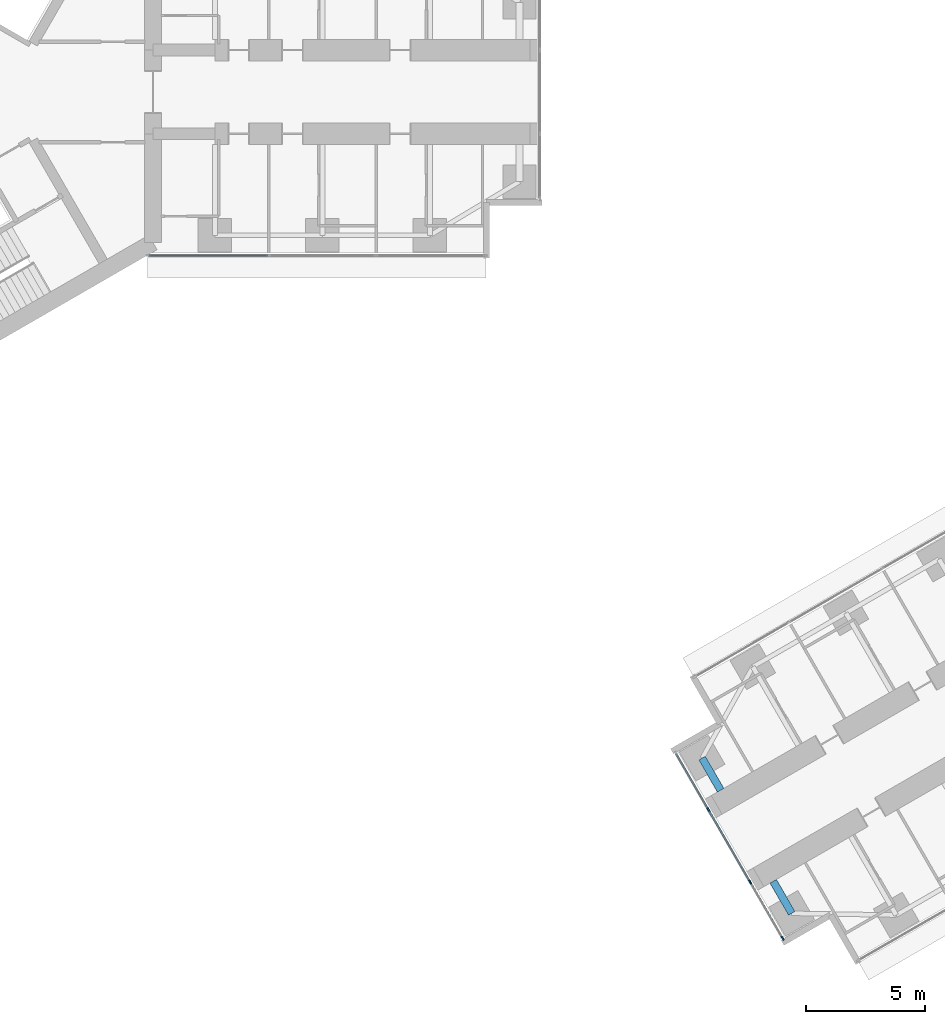
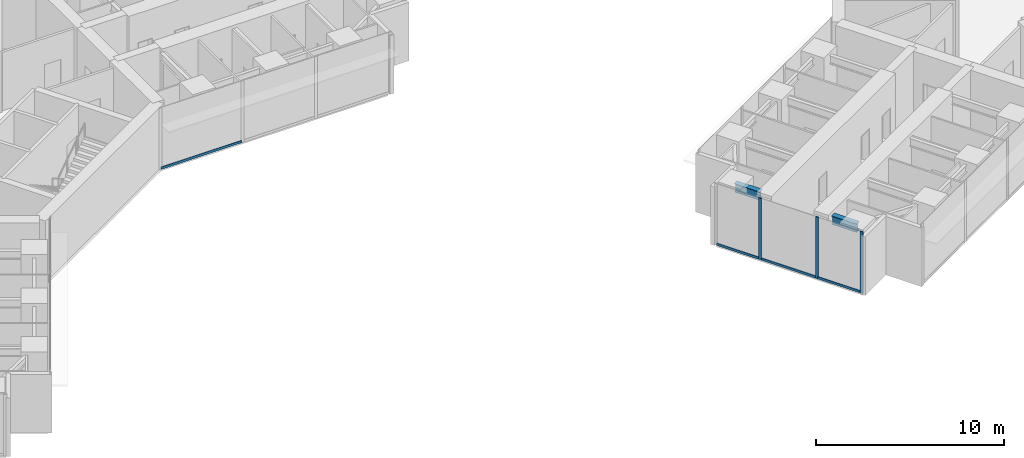
# One storey, part 3 of 25: 7 members, 2 beams, 2 elements without a shape of their own.
"""IFC4 building model written with IfcOpenShell, lengths in metres."""

from ifc_helpers import new_model, si_unit, direction, frame, origin, origin_2d, place, context, subcontext, project, spatial, rectangle, i_section, extrude, material, material_profile, profile_set, type_object, element, aggregate, save


model = new_model("IFC4")

# Units and contexts
model_context = context("Model", 3, precision=1e-05, world=origin(), true_north=direction((0.0, 1.0)))
body_context = subcontext(model_context, "Body", "Model", "MODEL_VIEW")
ifc_project = project(units=[si_unit("LENGTHUNIT", "METRE"), si_unit("AREAUNIT", "SQUARE_METRE"), si_unit("VOLUMEUNIT", "CUBIC_METRE"), si_unit("PLANEANGLEUNIT", "RADIAN"), si_unit("MASSUNIT", "GRAM", prefix="KILO")], contexts=[model_context])

# Site, building, storey
site_placement = place(None, origin())
site = spatial("IfcSite", under=ifc_project, at=site_placement, CompositionType="ELEMENT")
building_placement = place(site_placement, origin())
building = spatial("IfcBuilding", under=site, at=building_placement, Name="Upepo Twin Towers", CompositionType="ELEMENT")
storey_placement = place(building_placement, frame((0.0, 0.0, 84.5)))
storey = spatial("IfcBuildingStorey", under=building, at=storey_placement, Name="L20", CompositionType="ELEMENT", Elevation=84.5)

# Beams
ifc_material_1 = material(Name="Steel S355", Category="steel")
ifc_material_profile_1 = material_profile(ifc_material_1, i_section(OverallWidth=0.31201171875, OverallDepth=0.54345703125, WebThickness=0.0126953125, FlangeThickness=0.020263671875, FilletRadius=0.0126953125, at=origin_2d()), Name="UB 533x312x150")
ifc_profile_set_1 = profile_set([ifc_material_profile_1], Name="Steel S355")
beam_type = type_object("IfcBeamType", Name="Beam UB 533x312x150", PredefinedType="BEAM", material=ifc_profile_set_1)
for number, where, z_axis, x_axis, name in (
    (1, (37.641845703125, -34.37255859375, 3.5283203125), (-0.499967891604, 0.866043940782, 0.0), (-0.866043940782, -0.499967891604, 0.0), "T2 nose beam BL"),
    (2, (33.891845703125, -27.87744140625, 3.5283203125), (0.499967891604, -0.866043940782, 0.0), (0.866043940782, 0.499967891604, 0.0), "T2 nose beam BR"),
):
    element("IfcBeam", number, at=place(storey_placement, frame(where, z_axis=z_axis, x_axis=x_axis)), inside=storey, type_object=beam_type, Name=name, PredefinedType="BEAM", context=body_context, shape_type="SweptSolid", body=[
        extrude(i_section(OverallWidth=0.31201171875, OverallDepth=0.54345703125, WebThickness=0.0126953125, FlangeThickness=0.020263671875, FilletRadius=0.0126953125, at=origin_2d()), origin(), (0.0, 0.0, 1.0), 1.5498046875),
    ])

# Curtain wall, members
ifc_material_2 = material(Name="Aluminium and fritted glass", Category="aluminium")
curtain_wall_type = type_object("IfcCurtainWallType", Name="Tower curtain wall TW1, fritted glass", PredefinedType="NOTDEFINED", material=ifc_material_2)
curtain_wall_1_placement = place(storey_placement, origin())
curtain_wall_1 = element("IfcCurtainWall", 3, at=curtain_wall_1_placement, inside=storey, type_object=curtain_wall_type, Name="T2 L20 wing B nose curtain wall", PredefinedType="NOTDEFINED")
ifc_material_3 = material(Name="Aluminium mullion", Category="aluminium")
ifc_material_profile_2 = material_profile(ifc_material_3, rectangle(XDim=0.06494140625, YDim=0.179931640625, at=origin_2d()), Name="MULLION 65x180")
ifc_profile_set_2 = profile_set([ifc_material_profile_2], Name="Aluminium mullion")
member_type_1 = type_object("IfcMemberType", Name="Mullion 65x180 TW1", PredefinedType="MULLION", material=ifc_profile_set_2)
member_1_placement = place(storey_placement, frame((34.15576171875, -30.034423828125, 0.0), z_axis=(0.0, 0.0, 1.0), x_axis=(0.866025386174, 0.500000030502, 0.0)))
member_1 = element("IfcMember", 4, at=member_1_placement, type_object=member_type_1, Name="T2 L20 wing B nose curtain wall mullion 2", PredefinedType="MULLION", context=body_context, shape_type="SweptSolid", body=[
    extrude(rectangle(XDim=0.06494140625, YDim=0.179931640625, at=origin_2d()), origin(), (0.0, 0.0, 1.0), 4.0),
])
member_2_placement = place(storey_placement, frame((35.90576171875, -33.0654296875, 0.0), z_axis=(0.0, 0.0, 1.0), x_axis=(0.866025386174, 0.500000030502, 0.0)))
member_2 = element("IfcMember", 5, at=member_2_placement, type_object=member_type_1, Name="T2 L20 wing B nose curtain wall mullion 3", PredefinedType="MULLION", context=body_context, shape_type="SweptSolid", body=[
    extrude(rectangle(XDim=0.06494140625, YDim=0.179931640625, at=origin_2d()), origin(), (0.0, 0.0, 1.0), 4.0),
])
member_3_placement = place(storey_placement, frame((37.264404296875, -35.4189453125, 0.0), z_axis=(0.0, 0.0, 1.0), x_axis=(0.866025386174, 0.500000030502, 0.0)))
member_3 = element("IfcMember", 6, at=member_3_placement, type_object=member_type_1, Name="T2 L20 wing B nose curtain wall mullion 4", PredefinedType="MULLION", context=body_context, shape_type="SweptSolid", body=[
    extrude(rectangle(XDim=0.06494140625, YDim=0.179931640625, at=origin_2d()), origin(), (0.0, 0.0, 1.0), 4.0),
])

# Curtain wall, member
curtain_wall_2_placement = place(storey_placement, origin())
curtain_wall_2 = element("IfcCurtainWall", 7, at=curtain_wall_2_placement, inside=storey, type_object=curtain_wall_type, Name="T1 L20 wing A flank R curtain wall", PredefinedType="NOTDEFINED")
ifc_material_4 = material(Name="Aluminium transom", Category="aluminium")
ifc_material_profile_3 = material_profile(ifc_material_4, rectangle(XDim=0.06494140625, YDim=0.14990234375, at=origin_2d()), Name="TRANSOM 65x150")
ifc_profile_set_3 = profile_set([ifc_material_profile_3], Name="Aluminium transom")
member_type_2 = type_object("IfcMemberType", Name="Transom 65x150 TW1", PredefinedType="USERDEFINED", material=ifc_profile_set_3)
member_4_placement = place(storey_placement, frame((15.717529296875, -6.85009765625, 0.074951171875), z_axis=(-1.0, 0.0, 0.0), x_axis=(0.0, -1.0, 0.0)))
member_4 = element("IfcMember", 8, at=member_4_placement, type_object=member_type_2, Name="T1 L20 wing A flank R curtain wall transom 3", ObjectType="TRANSOM", PredefinedType="USERDEFINED", context=body_context, shape_type="SweptSolid", body=[
    extrude(rectangle(XDim=0.06494140625, YDim=0.14990234375, at=origin_2d()), origin(), (0.0, 0.0, 1.0), 4.96533203125),
])
aggregate(curtain_wall_2, [member_4])

# Member
member_5_placement = place(storey_placement, frame((32.813232421875, -27.709228515625, 0.074951171875), z_axis=(0.499980071345, -0.866036909293, 0.0), x_axis=(0.866036909293, 0.499980071345, 0.0)))
member_5 = element("IfcMember", 9, at=member_5_placement, type_object=member_type_2, Name="T2 L20 wing B nose curtain wall transom 1", ObjectType="TRANSOM", PredefinedType="USERDEFINED", context=body_context, shape_type="SweptSolid", body=[
    extrude(rectangle(XDim=0.06494140625, YDim=0.14990234375, at=origin_2d()), origin(), (0.0, 0.0, 1.0), 2.65234375),
])

member_6_placement = place(storey_placement, frame((34.171875, -30.0625, 0.074951171875), z_axis=(0.499999305434, -0.866025804792, 0.0), x_axis=(0.866025804792, 0.499999305434, 0.0)))
member_6 = element("IfcMember", 10, at=member_6_placement, type_object=member_type_2, Name="T2 L20 wing B nose curtain wall transom 2", ObjectType="TRANSOM", PredefinedType="USERDEFINED", context=body_context, shape_type="SweptSolid", body=[
    extrude(rectangle(XDim=0.06494140625, YDim=0.14990234375, at=origin_2d()), origin(), (0.0, 0.0, 1.0), 3.43505859375),
])

member_7_placement = place(storey_placement, frame((35.921875, -33.09375, 0.074951171875), z_axis=(0.500049101008, -0.865997053448, 0.0), x_axis=(0.865997053448, 0.500049101008, 0.0)))
member_7 = element("IfcMember", 11, at=member_7_placement, type_object=member_type_2, Name="T2 L20 wing B nose curtain wall transom 3", ObjectType="TRANSOM", PredefinedType="USERDEFINED", context=body_context, shape_type="SweptSolid", body=[
    extrude(rectangle(XDim=0.06494140625, YDim=0.14990234375, at=origin_2d()), origin(), (0.0, 0.0, 1.0), 2.652587890625),
])

aggregate(curtain_wall_1, [member_1, member_2, member_3, member_5, member_6, member_7])

save(model, "model.ifc")
